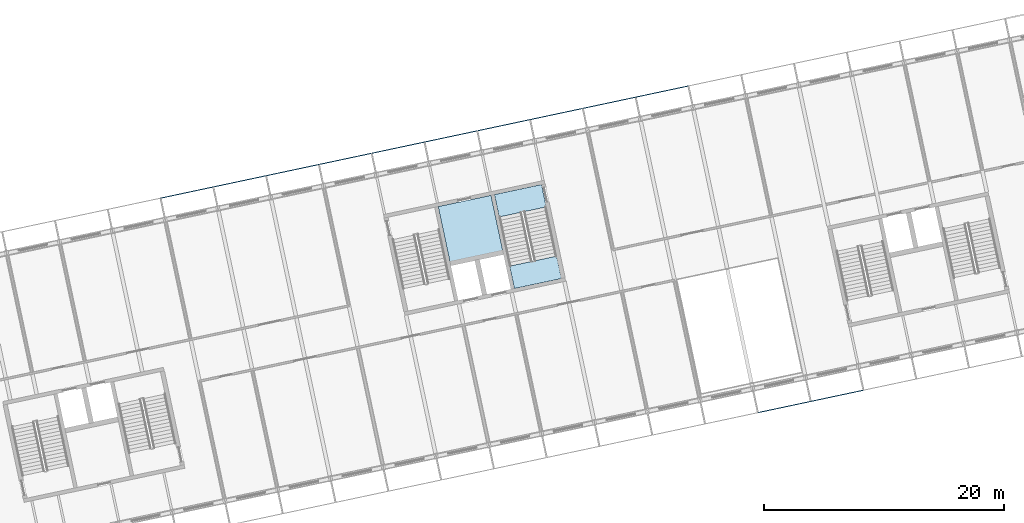
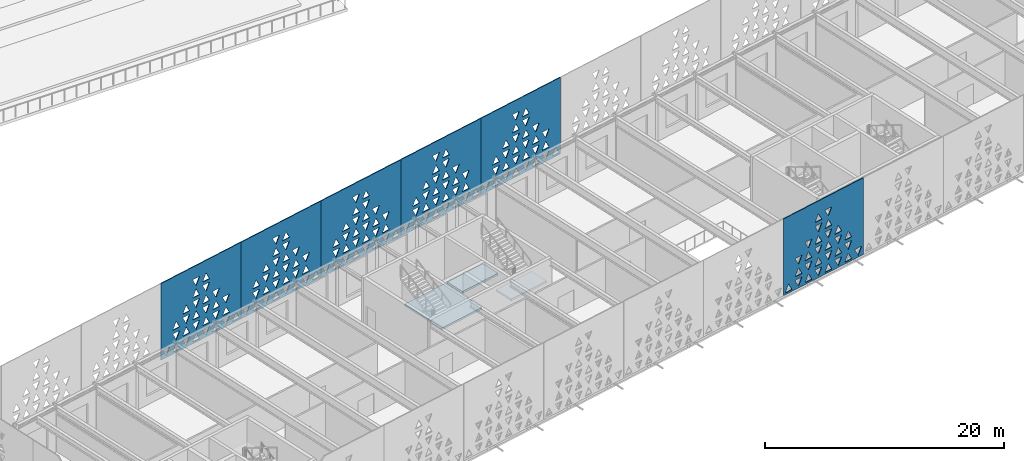
# One storey, part 105 of 196: 6 plates, 3 slabs, 1 element without a shape of its own.
"""IFC4 building model written with IfcOpenShell, lengths in metres."""

from ifc_helpers import new_model, si_unit, direction, frame, origin, place, context, subcontext, project, spatial, polyline, outline, extrude, material, layer, layer_set, type_object, element, aggregate, save


model = new_model("IFC4")

# Units and contexts
model_context = context("Model", 3, precision=1e-05, world=origin(), true_north=direction((0.0, 1.0)))
body_context = subcontext(model_context, "Body", "Model", "MODEL_VIEW")
ifc_project = project(units=[si_unit("LENGTHUNIT", "METRE"), si_unit("AREAUNIT", "SQUARE_METRE"), si_unit("VOLUMEUNIT", "CUBIC_METRE"), si_unit("PLANEANGLEUNIT", "RADIAN"), si_unit("MASSUNIT", "GRAM", prefix="KILO")], contexts=[model_context])

# Site, building, storey
site_placement = place(None, origin())
site = spatial("IfcSite", under=ifc_project, at=site_placement, CompositionType="ELEMENT")
building_placement = place(site_placement, origin())
building = spatial("IfcBuilding", under=site, at=building_placement, Name="Okhra Congress Centre", CompositionType="ELEMENT")
storey_placement = place(building_placement, frame((0.0, 0.0, 12.0)))
storey = spatial("IfcBuildingStorey", under=building, at=storey_placement, Name="L02", CompositionType="ELEMENT", Elevation=12.0)

# Slabs
ifc_material_1 = material(Name="Concrete C30/37", Category="concrete")
ifc_layer_1 = layer(ifc_material_1, 0.199951171875)
ifc_layer_set_1 = layer_set([ifc_layer_1], Name="RC floor slab 200 REI 120 C30/37")
slab_type_1 = type_object("IfcSlabType", Name="RC floor slab 200 REI 120 C30/37", PredefinedType="FLOOR", material=ifc_layer_set_1)
slab_1_placement = place(storey_placement, frame((0.0, 0.0, -0.199951171875)))
element("IfcSlab", 1, at=slab_1_placement, inside=storey, type_object=slab_type_1, Name="Stair floor landing 2B L02", PredefinedType="FLOOR", context=body_context, shape_type="SweptSolid", body=[
    extrude(outline(polyline([(105.490966796875, 57.0478515625), (109.413330078125, 57.881591796875), (109.810546875, 56.013427734375), (105.88818359375, 55.1796875), (105.490966796875, 57.0478515625)])), origin(), (0.0, 0.0, 1.0), 0.199951171875),
])
slab_2_placement = place(storey_placement, frame((0.0, 0.0, -0.199951171875)))
element("IfcSlab", 2, at=slab_2_placement, inside=storey, type_object=slab_type_1, Name="Riser room floor 2 L02", PredefinedType="FLOOR", context=body_context, shape_type="SweptSolid", body=[
    extrude(outline(polyline([(101.779052734375, 51.44873046875), (106.1806640625, 52.384521484375), (105.20361328125, 56.981689453125), (100.8017578125, 56.046142578125), (101.779052734375, 51.44873046875)])), origin(), (0.0, 0.0, 1.0), 0.199951171875),
])

# Stair, slab
stair_type = type_object("IfcStairType", Name="Escape stair 1900 wide, 30 risers of 160.0", PredefinedType="HALF_TURN_STAIR", material=ifc_material_1)
stair_placement = place(storey_placement, origin())
stair = element("IfcStair", 3, at=stair_placement, inside=storey, type_object=stair_type, Name="L02 Escape stair 2B", PredefinedType="HALF_TURN_STAIR")
ifc_layer_2 = layer(ifc_material_1, 0.199951171875)
ifc_layer_set_2 = layer_set([ifc_layer_2], Name="RC stair landing 200 C30/37")
slab_type_2 = type_object("IfcSlabType", Name="RC stair landing 200 C30/37", PredefinedType="LANDING", material=ifc_layer_set_2)
slab_3_placement = place(storey_placement, frame((0.0, 0.0, 2.199951171875)))
slab_3 = element("IfcSlab", 4, at=slab_3_placement, type_object=slab_type_2, Name="BS2B landing 1", PredefinedType="LANDING", context=body_context, shape_type="SweptSolid", body=[
    extrude(outline(polyline([(106.75927734375, 51.081298828125), (110.681640625, 51.9150390625), (111.078857421875, 50.046630859375), (107.156494140625, 49.212890625), (106.75927734375, 51.081298828125)])), origin(), (0.0, 0.0, 1.0), 0.199951171875),
])
aggregate(stair, [slab_3])

# Plates
ifc_material_2 = material(Name="Fired clay terracotta rainscreen panel, deep oxide-red glaze, non-combustible", Category="masonry")
ifc_layer_3 = layer(ifc_material_2, 0.080078125)
ifc_layer_set_3 = layer_set([ifc_layer_3], Name="Terracotta screen panel 8980x7840")
plate_type = type_object("IfcPlateType", Name="Terracotta screen panel 8980x7840", PredefinedType="SHEET", material=ifc_layer_set_3)
plate_1_placement = place(storey_placement, frame((127.466796875, 38.864501953125, 1.949951171875), z_axis=(0.0, 0.0, 1.0), x_axis=(0.978144061878, 0.207928339131, 0.0)))
element("IfcPlate", 5, at=plate_1_placement, inside=storey, type_object=plate_type, Name="Screen panel S9 Tier 2", PredefinedType="SHEET", context=body_context, shape_type="SweptSolid", body=[
    extrude(outline(polyline([(0.0, 0.0), (8.97998046875, 0.0), (8.97998046875, 7.840087890625), (0.0, 7.840087890625), (0.0, 0.0)]), holes=[polyline([(0.176513671875, 0.183837890625), (0.943603515625, 0.183837890625), (0.56005859375, 0.93603515625), (0.176513671875, 0.183837890625)]), polyline([(1.29638671875, 0.93603515625), (1.679931640625, 0.183837890625), (2.0634765625, 0.93603515625), (1.29638671875, 0.93603515625)]), polyline([(2.41650390625, 0.183837890625), (3.18359375, 0.183837890625), (2.800048828125, 0.93603515625), (2.41650390625, 0.183837890625)]), polyline([(3.536376953125, 0.93603515625), (3.919921875, 0.183837890625), (4.3037109375, 0.93603515625), (3.536376953125, 0.93603515625)]), polyline([(4.656494140625, 0.183837890625), (5.423583984375, 0.183837890625), (5.0400390625, 0.93603515625), (4.656494140625, 0.183837890625)]), polyline([(5.7763671875, 0.93603515625), (6.159912109375, 0.183837890625), (6.543701171875, 0.93603515625), (5.7763671875, 0.93603515625)]), polyline([(6.896484375, 0.183837890625), (7.66357421875, 0.183837890625), (7.280029296875, 0.93603515625), (6.896484375, 0.183837890625)]), polyline([(8.016357421875, 0.93603515625), (8.39990234375, 0.183837890625), (8.78369140625, 0.93603515625), (8.016357421875, 0.93603515625)]), polyline([(1.29638671875, 1.303955078125), (2.0634765625, 1.303955078125), (1.679931640625, 2.05615234375), (1.29638671875, 1.303955078125)]), polyline([(2.41650390625, 2.05615234375), (2.800048828125, 1.303955078125), (3.18359375, 2.05615234375), (2.41650390625, 2.05615234375)]), polyline([(3.536376953125, 1.303955078125), (4.3037109375, 1.303955078125), (3.919921875, 2.05615234375), (3.536376953125, 1.303955078125)]), polyline([(4.656494140625, 2.05615234375), (5.0400390625, 1.303955078125), (5.423583984375, 2.05615234375), (4.656494140625, 2.05615234375)]), polyline([(5.7763671875, 1.303955078125), (6.543701171875, 1.303955078125), (6.159912109375, 2.05615234375), (5.7763671875, 1.303955078125)]), polyline([(6.896484375, 2.05615234375), (7.280029296875, 1.303955078125), (7.66357421875, 2.05615234375), (6.896484375, 2.05615234375)]), polyline([(1.29638671875, 3.176025390625), (1.679931640625, 2.423828125), (2.0634765625, 3.176025390625), (1.29638671875, 3.176025390625)]), polyline([(2.41650390625, 2.423828125), (3.18359375, 2.423828125), (2.800048828125, 3.176025390625), (2.41650390625, 2.423828125)]), polyline([(3.536376953125, 3.176025390625), (3.919921875, 2.423828125), (4.3037109375, 3.176025390625), (3.536376953125, 3.176025390625)]), polyline([(4.656494140625, 2.423828125), (5.423583984375, 2.423828125), (5.0400390625, 3.176025390625), (4.656494140625, 2.423828125)]), polyline([(5.7763671875, 3.176025390625), (6.159912109375, 2.423828125), (6.543701171875, 3.176025390625), (5.7763671875, 3.176025390625)]), polyline([(6.896484375, 2.423828125), (7.66357421875, 2.423828125), (7.280029296875, 3.176025390625), (6.896484375, 2.423828125)]), polyline([(2.41650390625, 4.296142578125), (2.800048828125, 3.5439453125), (3.18359375, 4.296142578125), (2.41650390625, 4.296142578125)]), polyline([(3.536376953125, 3.5439453125), (4.3037109375, 3.5439453125), (3.919921875, 4.296142578125), (3.536376953125, 3.5439453125)]), polyline([(4.656494140625, 4.296142578125), (5.0400390625, 3.5439453125), (5.423583984375, 4.296142578125), (4.656494140625, 4.296142578125)]), polyline([(5.7763671875, 3.5439453125), (6.543701171875, 3.5439453125), (6.159912109375, 4.296142578125), (5.7763671875, 3.5439453125)]), polyline([(3.536376953125, 5.416015625), (3.919921875, 4.663818359375), (4.3037109375, 5.416015625), (3.536376953125, 5.416015625)]), polyline([(4.656494140625, 4.663818359375), (5.423583984375, 4.663818359375), (5.0400390625, 5.416015625), (4.656494140625, 4.663818359375)]), polyline([(3.536376953125, 5.783935546875), (4.3037109375, 5.783935546875), (3.919921875, 6.5361328125), (3.536376953125, 5.783935546875)]), polyline([(4.656494140625, 6.5361328125), (5.0400390625, 5.783935546875), (5.423583984375, 6.5361328125), (4.656494140625, 6.5361328125)])]), frame((0.0, 0.0400390625, 0.0), z_axis=(0.0, -1.0, 0.0), x_axis=(1.0, 0.0, 0.0)), (0.0, 0.0, 1.0), 0.080078125),
])
plate_2_placement = place(storey_placement, frame((121.65673828125, 66.101806640625, 1.949951171875), z_axis=(0.0, 0.0, 1.0), x_axis=(-0.978149591018, -0.207902327047, 0.0)))
element("IfcPlate", 6, at=plate_2_placement, inside=storey, type_object=plate_type, Name="Screen panel N12 Tier 2", PredefinedType="SHEET", context=body_context, shape_type="SweptSolid", body=[
    extrude(outline(polyline([(0.0, 0.0), (8.97998046875, 0.0), (8.97998046875, 7.840087890625), (0.0, 7.840087890625), (0.0, 0.0)]), holes=[polyline([(0.176513671875, 0.183837890625), (0.943603515625, 0.183837890625), (0.56005859375, 0.93603515625), (0.176513671875, 0.183837890625)]), polyline([(1.29638671875, 0.93603515625), (1.679931640625, 0.183837890625), (2.0634765625, 0.93603515625), (1.29638671875, 0.93603515625)]), polyline([(2.41650390625, 0.183837890625), (3.18359375, 0.183837890625), (2.800048828125, 0.93603515625), (2.41650390625, 0.183837890625)]), polyline([(3.536376953125, 0.93603515625), (3.919921875, 0.183837890625), (4.3037109375, 0.93603515625), (3.536376953125, 0.93603515625)]), polyline([(4.656494140625, 0.183837890625), (5.423583984375, 0.183837890625), (5.0400390625, 0.93603515625), (4.656494140625, 0.183837890625)]), polyline([(5.7763671875, 0.93603515625), (6.159912109375, 0.183837890625), (6.543701171875, 0.93603515625), (5.7763671875, 0.93603515625)]), polyline([(6.896484375, 0.183837890625), (7.66357421875, 0.183837890625), (7.280029296875, 0.93603515625), (6.896484375, 0.183837890625)]), polyline([(8.016357421875, 0.93603515625), (8.39990234375, 0.183837890625), (8.78369140625, 0.93603515625), (8.016357421875, 0.93603515625)]), polyline([(1.29638671875, 1.303955078125), (2.0634765625, 1.303955078125), (1.679931640625, 2.05615234375), (1.29638671875, 1.303955078125)]), polyline([(2.41650390625, 2.05615234375), (2.800048828125, 1.303955078125), (3.18359375, 2.05615234375), (2.41650390625, 2.05615234375)]), polyline([(3.536376953125, 1.303955078125), (4.3037109375, 1.303955078125), (3.919921875, 2.05615234375), (3.536376953125, 1.303955078125)]), polyline([(4.656494140625, 2.05615234375), (5.0400390625, 1.303955078125), (5.423583984375, 2.05615234375), (4.656494140625, 2.05615234375)]), polyline([(5.7763671875, 1.303955078125), (6.543701171875, 1.303955078125), (6.159912109375, 2.05615234375), (5.7763671875, 1.303955078125)]), polyline([(6.896484375, 2.05615234375), (7.280029296875, 1.303955078125), (7.66357421875, 2.05615234375), (6.896484375, 2.05615234375)]), polyline([(1.29638671875, 3.176025390625), (1.679931640625, 2.423828125), (2.0634765625, 3.176025390625), (1.29638671875, 3.176025390625)]), polyline([(2.41650390625, 2.423828125), (3.18359375, 2.423828125), (2.800048828125, 3.176025390625), (2.41650390625, 2.423828125)]), polyline([(3.536376953125, 3.176025390625), (3.919921875, 2.423828125), (4.3037109375, 3.176025390625), (3.536376953125, 3.176025390625)]), polyline([(4.656494140625, 2.423828125), (5.423583984375, 2.423828125), (5.0400390625, 3.176025390625), (4.656494140625, 2.423828125)]), polyline([(5.7763671875, 3.176025390625), (6.159912109375, 2.423828125), (6.543701171875, 3.176025390625), (5.7763671875, 3.176025390625)]), polyline([(6.896484375, 2.423828125), (7.66357421875, 2.423828125), (7.280029296875, 3.176025390625), (6.896484375, 2.423828125)]), polyline([(2.41650390625, 4.296142578125), (2.800048828125, 3.5439453125), (3.18359375, 4.296142578125), (2.41650390625, 4.296142578125)]), polyline([(3.536376953125, 3.5439453125), (4.3037109375, 3.5439453125), (3.919921875, 4.296142578125), (3.536376953125, 3.5439453125)]), polyline([(4.656494140625, 4.296142578125), (5.0400390625, 3.5439453125), (5.423583984375, 4.296142578125), (4.656494140625, 4.296142578125)]), polyline([(5.7763671875, 3.5439453125), (6.543701171875, 3.5439453125), (6.159912109375, 4.296142578125), (5.7763671875, 3.5439453125)]), polyline([(3.536376953125, 5.416015625), (3.919921875, 4.663818359375), (4.3037109375, 5.416015625), (3.536376953125, 5.416015625)]), polyline([(4.656494140625, 4.663818359375), (5.423583984375, 4.663818359375), (5.0400390625, 5.416015625), (4.656494140625, 4.663818359375)]), polyline([(3.536376953125, 5.783935546875), (4.3037109375, 5.783935546875), (3.919921875, 6.5361328125), (3.536376953125, 5.783935546875)]), polyline([(4.656494140625, 6.5361328125), (5.0400390625, 5.783935546875), (5.423583984375, 6.5361328125), (4.656494140625, 6.5361328125)])]), frame((0.0, 0.0400390625, 0.0), z_axis=(0.0, -1.0, 0.0), x_axis=(1.0, 0.0, 0.0)), (0.0, 0.0, 1.0), 0.080078125),
])
plate_3_placement = place(storey_placement, frame((112.853515625, 64.230712890625, 1.949951171875), z_axis=(0.0, 0.0, 1.0), x_axis=(-0.978144061878, -0.207928339131, 0.0)))
element("IfcPlate", 7, at=plate_3_placement, inside=storey, type_object=plate_type, Name="Screen panel N13 Tier 2", PredefinedType="SHEET", context=body_context, shape_type="SweptSolid", body=[
    extrude(outline(polyline([(0.0, 0.0), (8.97998046875, 0.0), (8.97998046875, 7.840087890625), (0.0, 7.840087890625), (0.0, 0.0)]), holes=[polyline([(0.176513671875, 0.183837890625), (0.943603515625, 0.183837890625), (0.56005859375, 0.93603515625), (0.176513671875, 0.183837890625)]), polyline([(1.29638671875, 0.93603515625), (1.679931640625, 0.183837890625), (2.0634765625, 0.93603515625), (1.29638671875, 0.93603515625)]), polyline([(2.41650390625, 0.183837890625), (3.18359375, 0.183837890625), (2.800048828125, 0.93603515625), (2.41650390625, 0.183837890625)]), polyline([(3.536376953125, 0.93603515625), (3.919921875, 0.183837890625), (4.3037109375, 0.93603515625), (3.536376953125, 0.93603515625)]), polyline([(4.656494140625, 0.183837890625), (5.423583984375, 0.183837890625), (5.0400390625, 0.93603515625), (4.656494140625, 0.183837890625)]), polyline([(5.7763671875, 0.93603515625), (6.159912109375, 0.183837890625), (6.543701171875, 0.93603515625), (5.7763671875, 0.93603515625)]), polyline([(6.896484375, 0.183837890625), (7.66357421875, 0.183837890625), (7.280029296875, 0.93603515625), (6.896484375, 0.183837890625)]), polyline([(8.016357421875, 0.93603515625), (8.39990234375, 0.183837890625), (8.78369140625, 0.93603515625), (8.016357421875, 0.93603515625)]), polyline([(1.29638671875, 1.303955078125), (2.0634765625, 1.303955078125), (1.679931640625, 2.05615234375), (1.29638671875, 1.303955078125)]), polyline([(2.41650390625, 2.05615234375), (2.800048828125, 1.303955078125), (3.18359375, 2.05615234375), (2.41650390625, 2.05615234375)]), polyline([(3.536376953125, 1.303955078125), (4.3037109375, 1.303955078125), (3.919921875, 2.05615234375), (3.536376953125, 1.303955078125)]), polyline([(4.656494140625, 2.05615234375), (5.0400390625, 1.303955078125), (5.423583984375, 2.05615234375), (4.656494140625, 2.05615234375)]), polyline([(5.7763671875, 1.303955078125), (6.543701171875, 1.303955078125), (6.159912109375, 2.05615234375), (5.7763671875, 1.303955078125)]), polyline([(6.896484375, 2.05615234375), (7.280029296875, 1.303955078125), (7.66357421875, 2.05615234375), (6.896484375, 2.05615234375)]), polyline([(1.29638671875, 3.176025390625), (1.679931640625, 2.423828125), (2.0634765625, 3.176025390625), (1.29638671875, 3.176025390625)]), polyline([(2.41650390625, 2.423828125), (3.18359375, 2.423828125), (2.800048828125, 3.176025390625), (2.41650390625, 2.423828125)]), polyline([(3.536376953125, 3.176025390625), (3.919921875, 2.423828125), (4.3037109375, 3.176025390625), (3.536376953125, 3.176025390625)]), polyline([(4.656494140625, 2.423828125), (5.423583984375, 2.423828125), (5.0400390625, 3.176025390625), (4.656494140625, 2.423828125)]), polyline([(5.7763671875, 3.176025390625), (6.159912109375, 2.423828125), (6.543701171875, 3.176025390625), (5.7763671875, 3.176025390625)]), polyline([(6.896484375, 2.423828125), (7.66357421875, 2.423828125), (7.280029296875, 3.176025390625), (6.896484375, 2.423828125)]), polyline([(2.41650390625, 4.296142578125), (2.800048828125, 3.5439453125), (3.18359375, 4.296142578125), (2.41650390625, 4.296142578125)]), polyline([(3.536376953125, 3.5439453125), (4.3037109375, 3.5439453125), (3.919921875, 4.296142578125), (3.536376953125, 3.5439453125)]), polyline([(4.656494140625, 4.296142578125), (5.0400390625, 3.5439453125), (5.423583984375, 4.296142578125), (4.656494140625, 4.296142578125)]), polyline([(5.7763671875, 3.5439453125), (6.543701171875, 3.5439453125), (6.159912109375, 4.296142578125), (5.7763671875, 3.5439453125)]), polyline([(3.536376953125, 5.416015625), (3.919921875, 4.663818359375), (4.3037109375, 5.416015625), (3.536376953125, 5.416015625)]), polyline([(4.656494140625, 4.663818359375), (5.423583984375, 4.663818359375), (5.0400390625, 5.416015625), (4.656494140625, 4.663818359375)]), polyline([(3.536376953125, 5.783935546875), (4.3037109375, 5.783935546875), (3.919921875, 6.5361328125), (3.536376953125, 5.783935546875)]), polyline([(4.656494140625, 6.5361328125), (5.0400390625, 5.783935546875), (5.423583984375, 6.5361328125), (4.656494140625, 6.5361328125)])]), frame((0.0, 0.0400390625, 0.0), z_axis=(0.0, -1.0, 0.0), x_axis=(1.0, 0.0, 0.0)), (0.0, 0.0, 1.0), 0.080078125),
])
plate_4_placement = place(storey_placement, frame((104.05029296875, 62.359375, 1.949951171875), z_axis=(0.0, 0.0, 1.0), x_axis=(-0.978150766104, -0.207896798366, 0.0)))
element("IfcPlate", 8, at=plate_4_placement, inside=storey, type_object=plate_type, Name="Screen panel N14 Tier 2", PredefinedType="SHEET", context=body_context, shape_type="SweptSolid", body=[
    extrude(outline(polyline([(0.0, 0.0), (8.980224609375, 0.0), (8.980224609375, 7.840087890625), (0.0, 7.840087890625), (0.0, 0.0)]), holes=[polyline([(0.176513671875, 0.183837890625), (0.943603515625, 0.183837890625), (0.56005859375, 0.93603515625), (0.176513671875, 0.183837890625)]), polyline([(1.29638671875, 0.93603515625), (1.679931640625, 0.183837890625), (2.0634765625, 0.93603515625), (1.29638671875, 0.93603515625)]), polyline([(2.41650390625, 0.183837890625), (3.18359375, 0.183837890625), (2.800048828125, 0.93603515625), (2.41650390625, 0.183837890625)]), polyline([(3.536376953125, 0.93603515625), (3.919921875, 0.183837890625), (4.3037109375, 0.93603515625), (3.536376953125, 0.93603515625)]), polyline([(4.656494140625, 0.183837890625), (5.423583984375, 0.183837890625), (5.0400390625, 0.93603515625), (4.656494140625, 0.183837890625)]), polyline([(5.7763671875, 0.93603515625), (6.159912109375, 0.183837890625), (6.543701171875, 0.93603515625), (5.7763671875, 0.93603515625)]), polyline([(6.896484375, 0.183837890625), (7.66357421875, 0.183837890625), (7.280029296875, 0.93603515625), (6.896484375, 0.183837890625)]), polyline([(8.016357421875, 0.93603515625), (8.39990234375, 0.183837890625), (8.78369140625, 0.93603515625), (8.016357421875, 0.93603515625)]), polyline([(1.29638671875, 1.303955078125), (2.0634765625, 1.303955078125), (1.679931640625, 2.05615234375), (1.29638671875, 1.303955078125)]), polyline([(2.41650390625, 2.05615234375), (2.800048828125, 1.303955078125), (3.18359375, 2.05615234375), (2.41650390625, 2.05615234375)]), polyline([(3.536376953125, 1.303955078125), (4.3037109375, 1.303955078125), (3.919921875, 2.05615234375), (3.536376953125, 1.303955078125)]), polyline([(4.656494140625, 2.05615234375), (5.0400390625, 1.303955078125), (5.423583984375, 2.05615234375), (4.656494140625, 2.05615234375)]), polyline([(5.7763671875, 1.303955078125), (6.543701171875, 1.303955078125), (6.159912109375, 2.05615234375), (5.7763671875, 1.303955078125)]), polyline([(6.896484375, 2.05615234375), (7.280029296875, 1.303955078125), (7.66357421875, 2.05615234375), (6.896484375, 2.05615234375)]), polyline([(1.29638671875, 3.176025390625), (1.679931640625, 2.423828125), (2.0634765625, 3.176025390625), (1.29638671875, 3.176025390625)]), polyline([(2.41650390625, 2.423828125), (3.18359375, 2.423828125), (2.800048828125, 3.176025390625), (2.41650390625, 2.423828125)]), polyline([(3.536376953125, 3.176025390625), (3.919921875, 2.423828125), (4.3037109375, 3.176025390625), (3.536376953125, 3.176025390625)]), polyline([(4.656494140625, 2.423828125), (5.423583984375, 2.423828125), (5.0400390625, 3.176025390625), (4.656494140625, 2.423828125)]), polyline([(5.7763671875, 3.176025390625), (6.159912109375, 2.423828125), (6.543701171875, 3.176025390625), (5.7763671875, 3.176025390625)]), polyline([(6.896484375, 2.423828125), (7.66357421875, 2.423828125), (7.280029296875, 3.176025390625), (6.896484375, 2.423828125)]), polyline([(2.41650390625, 4.296142578125), (2.800048828125, 3.5439453125), (3.18359375, 4.296142578125), (2.41650390625, 4.296142578125)]), polyline([(3.536376953125, 3.5439453125), (4.3037109375, 3.5439453125), (3.919921875, 4.296142578125), (3.536376953125, 3.5439453125)]), polyline([(4.656494140625, 4.296142578125), (5.0400390625, 3.5439453125), (5.423583984375, 4.296142578125), (4.656494140625, 4.296142578125)]), polyline([(5.7763671875, 3.5439453125), (6.543701171875, 3.5439453125), (6.159912109375, 4.296142578125), (5.7763671875, 3.5439453125)]), polyline([(3.536376953125, 5.416015625), (3.919921875, 4.663818359375), (4.3037109375, 5.416015625), (3.536376953125, 5.416015625)]), polyline([(4.656494140625, 4.663818359375), (5.423583984375, 4.663818359375), (5.0400390625, 5.416015625), (4.656494140625, 4.663818359375)]), polyline([(3.536376953125, 5.783935546875), (4.3037109375, 5.783935546875), (3.919921875, 6.5361328125), (3.536376953125, 5.783935546875)]), polyline([(4.656494140625, 6.5361328125), (5.0400390625, 5.783935546875), (5.423583984375, 6.5361328125), (4.656494140625, 6.5361328125)])]), frame((0.0, 0.0400390625, 0.0), z_axis=(0.0, -1.0, 0.0), x_axis=(1.0, 0.0, 0.0)), (0.0, 0.0, 1.0), 0.080078125),
])
plate_5_placement = place(storey_placement, frame((95.246826171875, 60.48828125, 1.949951171875), z_axis=(0.0, 0.0, 1.0), x_axis=(-0.978144061878, -0.207928339131, 0.0)))
element("IfcPlate", 9, at=plate_5_placement, inside=storey, type_object=plate_type, Name="Screen panel N15 Tier 2", PredefinedType="SHEET", context=body_context, shape_type="SweptSolid", body=[
    extrude(outline(polyline([(0.0, 0.0), (8.97998046875, 0.0), (8.97998046875, 7.840087890625), (0.0, 7.840087890625), (0.0, 0.0)]), holes=[polyline([(0.176513671875, 0.183837890625), (0.943603515625, 0.183837890625), (0.56005859375, 0.93603515625), (0.176513671875, 0.183837890625)]), polyline([(1.29638671875, 0.93603515625), (1.679931640625, 0.183837890625), (2.0634765625, 0.93603515625), (1.29638671875, 0.93603515625)]), polyline([(2.41650390625, 0.183837890625), (3.18359375, 0.183837890625), (2.800048828125, 0.93603515625), (2.41650390625, 0.183837890625)]), polyline([(3.536376953125, 0.93603515625), (3.919921875, 0.183837890625), (4.3037109375, 0.93603515625), (3.536376953125, 0.93603515625)]), polyline([(4.656494140625, 0.183837890625), (5.423583984375, 0.183837890625), (5.0400390625, 0.93603515625), (4.656494140625, 0.183837890625)]), polyline([(5.7763671875, 0.93603515625), (6.159912109375, 0.183837890625), (6.543701171875, 0.93603515625), (5.7763671875, 0.93603515625)]), polyline([(6.896484375, 0.183837890625), (7.66357421875, 0.183837890625), (7.280029296875, 0.93603515625), (6.896484375, 0.183837890625)]), polyline([(8.016357421875, 0.93603515625), (8.39990234375, 0.183837890625), (8.78369140625, 0.93603515625), (8.016357421875, 0.93603515625)]), polyline([(1.29638671875, 1.303955078125), (2.0634765625, 1.303955078125), (1.679931640625, 2.05615234375), (1.29638671875, 1.303955078125)]), polyline([(2.41650390625, 2.05615234375), (2.800048828125, 1.303955078125), (3.18359375, 2.05615234375), (2.41650390625, 2.05615234375)]), polyline([(3.536376953125, 1.303955078125), (4.3037109375, 1.303955078125), (3.919921875, 2.05615234375), (3.536376953125, 1.303955078125)]), polyline([(4.656494140625, 2.05615234375), (5.0400390625, 1.303955078125), (5.423583984375, 2.05615234375), (4.656494140625, 2.05615234375)]), polyline([(5.7763671875, 1.303955078125), (6.543701171875, 1.303955078125), (6.159912109375, 2.05615234375), (5.7763671875, 1.303955078125)]), polyline([(6.896484375, 2.05615234375), (7.280029296875, 1.303955078125), (7.66357421875, 2.05615234375), (6.896484375, 2.05615234375)]), polyline([(1.29638671875, 3.176025390625), (1.679931640625, 2.423828125), (2.0634765625, 3.176025390625), (1.29638671875, 3.176025390625)]), polyline([(2.41650390625, 2.423828125), (3.18359375, 2.423828125), (2.800048828125, 3.176025390625), (2.41650390625, 2.423828125)]), polyline([(3.536376953125, 3.176025390625), (3.919921875, 2.423828125), (4.3037109375, 3.176025390625), (3.536376953125, 3.176025390625)]), polyline([(4.656494140625, 2.423828125), (5.423583984375, 2.423828125), (5.0400390625, 3.176025390625), (4.656494140625, 2.423828125)]), polyline([(5.7763671875, 3.176025390625), (6.159912109375, 2.423828125), (6.543701171875, 3.176025390625), (5.7763671875, 3.176025390625)]), polyline([(6.896484375, 2.423828125), (7.66357421875, 2.423828125), (7.280029296875, 3.176025390625), (6.896484375, 2.423828125)]), polyline([(2.41650390625, 4.296142578125), (2.800048828125, 3.5439453125), (3.18359375, 4.296142578125), (2.41650390625, 4.296142578125)]), polyline([(3.536376953125, 3.5439453125), (4.3037109375, 3.5439453125), (3.919921875, 4.296142578125), (3.536376953125, 3.5439453125)]), polyline([(4.656494140625, 4.296142578125), (5.0400390625, 3.5439453125), (5.423583984375, 4.296142578125), (4.656494140625, 4.296142578125)]), polyline([(5.7763671875, 3.5439453125), (6.543701171875, 3.5439453125), (6.159912109375, 4.296142578125), (5.7763671875, 3.5439453125)]), polyline([(3.536376953125, 5.416015625), (3.919921875, 4.663818359375), (4.3037109375, 5.416015625), (3.536376953125, 5.416015625)]), polyline([(4.656494140625, 4.663818359375), (5.423583984375, 4.663818359375), (5.0400390625, 5.416015625), (4.656494140625, 4.663818359375)]), polyline([(3.536376953125, 5.783935546875), (4.3037109375, 5.783935546875), (3.919921875, 6.5361328125), (3.536376953125, 5.783935546875)]), polyline([(4.656494140625, 6.5361328125), (5.0400390625, 5.783935546875), (5.423583984375, 6.5361328125), (4.656494140625, 6.5361328125)])]), frame((0.0, 0.0400390625, 0.0), z_axis=(0.0, -1.0, 0.0), x_axis=(1.0, 0.0, 0.0)), (0.0, 0.0, 1.0), 0.080078125),
])
plate_6_placement = place(storey_placement, frame((86.443603515625, 58.616943359375, 1.949951171875), z_axis=(0.0, 0.0, 1.0), x_axis=(-0.978150766104, -0.207896798366, 0.0)))
element("IfcPlate", 10, at=plate_6_placement, inside=storey, type_object=plate_type, Name="Screen panel N16 Tier 2", PredefinedType="SHEET", context=body_context, shape_type="SweptSolid", body=[
    extrude(outline(polyline([(0.0, 0.0), (8.980224609375, 0.0), (8.980224609375, 7.840087890625), (0.0, 7.840087890625), (0.0, 0.0)]), holes=[polyline([(0.176513671875, 0.183837890625), (0.943603515625, 0.183837890625), (0.56005859375, 0.93603515625), (0.176513671875, 0.183837890625)]), polyline([(1.29638671875, 0.93603515625), (1.679931640625, 0.183837890625), (2.0634765625, 0.93603515625), (1.29638671875, 0.93603515625)]), polyline([(2.41650390625, 0.183837890625), (3.18359375, 0.183837890625), (2.800048828125, 0.93603515625), (2.41650390625, 0.183837890625)]), polyline([(3.536376953125, 0.93603515625), (3.919921875, 0.183837890625), (4.3037109375, 0.93603515625), (3.536376953125, 0.93603515625)]), polyline([(4.656494140625, 0.183837890625), (5.423583984375, 0.183837890625), (5.0400390625, 0.93603515625), (4.656494140625, 0.183837890625)]), polyline([(5.7763671875, 0.93603515625), (6.159912109375, 0.183837890625), (6.543701171875, 0.93603515625), (5.7763671875, 0.93603515625)]), polyline([(6.896484375, 0.183837890625), (7.66357421875, 0.183837890625), (7.280029296875, 0.93603515625), (6.896484375, 0.183837890625)]), polyline([(8.016357421875, 0.93603515625), (8.39990234375, 0.183837890625), (8.78369140625, 0.93603515625), (8.016357421875, 0.93603515625)]), polyline([(1.29638671875, 1.303955078125), (2.0634765625, 1.303955078125), (1.679931640625, 2.05615234375), (1.29638671875, 1.303955078125)]), polyline([(2.41650390625, 2.05615234375), (2.800048828125, 1.303955078125), (3.18359375, 2.05615234375), (2.41650390625, 2.05615234375)]), polyline([(3.536376953125, 1.303955078125), (4.3037109375, 1.303955078125), (3.919921875, 2.05615234375), (3.536376953125, 1.303955078125)]), polyline([(4.656494140625, 2.05615234375), (5.0400390625, 1.303955078125), (5.423583984375, 2.05615234375), (4.656494140625, 2.05615234375)]), polyline([(5.7763671875, 1.303955078125), (6.543701171875, 1.303955078125), (6.159912109375, 2.05615234375), (5.7763671875, 1.303955078125)]), polyline([(6.896484375, 2.05615234375), (7.280029296875, 1.303955078125), (7.66357421875, 2.05615234375), (6.896484375, 2.05615234375)]), polyline([(1.29638671875, 3.176025390625), (1.679931640625, 2.423828125), (2.0634765625, 3.176025390625), (1.29638671875, 3.176025390625)]), polyline([(2.41650390625, 2.423828125), (3.18359375, 2.423828125), (2.800048828125, 3.176025390625), (2.41650390625, 2.423828125)]), polyline([(3.536376953125, 3.176025390625), (3.919921875, 2.423828125), (4.3037109375, 3.176025390625), (3.536376953125, 3.176025390625)]), polyline([(4.656494140625, 2.423828125), (5.423583984375, 2.423828125), (5.0400390625, 3.176025390625), (4.656494140625, 2.423828125)]), polyline([(5.7763671875, 3.176025390625), (6.159912109375, 2.423828125), (6.543701171875, 3.176025390625), (5.7763671875, 3.176025390625)]), polyline([(6.896484375, 2.423828125), (7.66357421875, 2.423828125), (7.280029296875, 3.176025390625), (6.896484375, 2.423828125)]), polyline([(2.41650390625, 4.296142578125), (2.800048828125, 3.5439453125), (3.18359375, 4.296142578125), (2.41650390625, 4.296142578125)]), polyline([(3.536376953125, 3.5439453125), (4.3037109375, 3.5439453125), (3.919921875, 4.296142578125), (3.536376953125, 3.5439453125)]), polyline([(4.656494140625, 4.296142578125), (5.0400390625, 3.5439453125), (5.423583984375, 4.296142578125), (4.656494140625, 4.296142578125)]), polyline([(5.7763671875, 3.5439453125), (6.543701171875, 3.5439453125), (6.159912109375, 4.296142578125), (5.7763671875, 3.5439453125)]), polyline([(3.536376953125, 5.416015625), (3.919921875, 4.663818359375), (4.3037109375, 5.416015625), (3.536376953125, 5.416015625)]), polyline([(4.656494140625, 4.663818359375), (5.423583984375, 4.663818359375), (5.0400390625, 5.416015625), (4.656494140625, 4.663818359375)]), polyline([(3.536376953125, 5.783935546875), (4.3037109375, 5.783935546875), (3.919921875, 6.5361328125), (3.536376953125, 5.783935546875)]), polyline([(4.656494140625, 6.5361328125), (5.0400390625, 5.783935546875), (5.423583984375, 6.5361328125), (4.656494140625, 6.5361328125)])]), frame((0.0, 0.0400390625, 0.0), z_axis=(0.0, -1.0, 0.0), x_axis=(1.0, 0.0, 0.0)), (0.0, 0.0, 1.0), 0.080078125),
])

save(model, "model.ifc")
